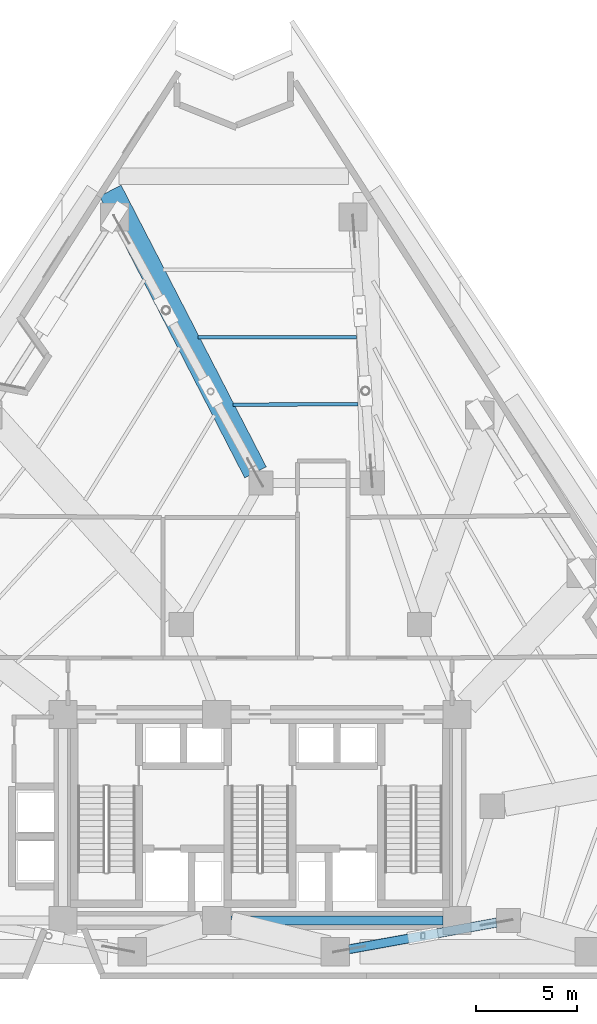
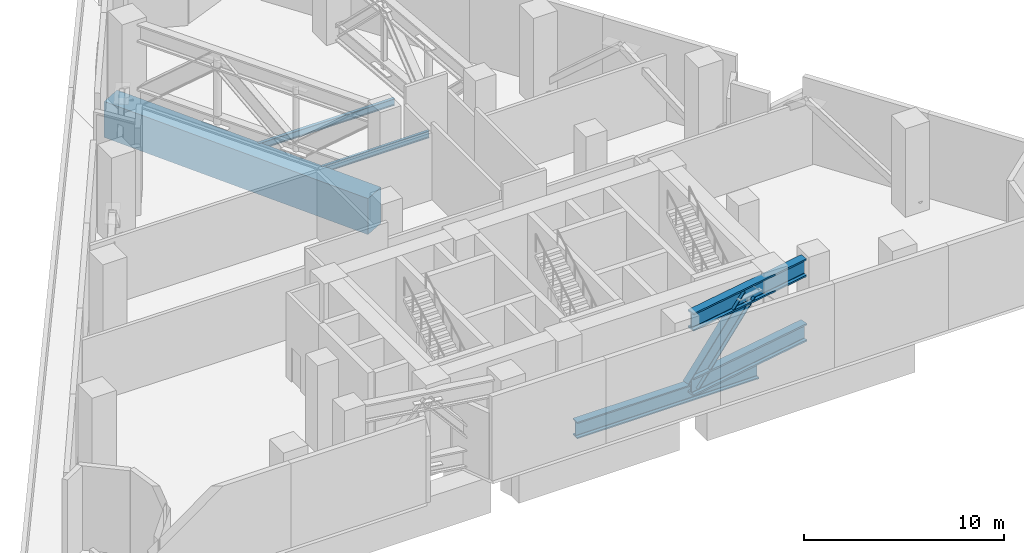
# One storey, part 3 of 12: 6 beams, 1 member.
"""IFC4 building model written with IfcOpenShell, lengths in metres."""

from ifc_helpers import new_model, si_unit, direction, frame, origin, origin_2d, place, context, subcontext, project, spatial, rectangle, i_section, extrude, material, material_profile, profile_set, type_object, element, save


model = new_model("IFC4")

# Units and contexts
model_context = context("Model", 3, precision=1e-05, world=origin(), true_north=direction((0.0, 1.0)))
body_context = subcontext(model_context, "Body", "Model", "MODEL_VIEW")
ifc_project = project(units=[si_unit("LENGTHUNIT", "METRE"), si_unit("AREAUNIT", "SQUARE_METRE"), si_unit("VOLUMEUNIT", "CUBIC_METRE"), si_unit("PLANEANGLEUNIT", "RADIAN"), si_unit("MASSUNIT", "GRAM", prefix="KILO")], contexts=[model_context])

# Site, building, storey
site_placement = place(None, origin())
site = spatial("IfcSite", under=ifc_project, at=site_placement, CompositionType="ELEMENT")
building_placement = place(site_placement, origin())
building = spatial("IfcBuilding", under=site, at=building_placement, Name="Almagre Mirador Tower", CompositionType="ELEMENT")
storey_placement = place(building_placement, frame((0.0, 0.0, 26.39990234375)))
storey = spatial("IfcBuildingStorey", under=building, at=storey_placement, Name="L05", CompositionType="ELEMENT", Elevation=26.39990234375)

# Beams
ifc_material_1 = material(Name="Steel ASTM A992 Grade 50", Category="steel")
ifc_material_profile_1 = material_profile(ifc_material_1, i_section(OverallWidth=0.178955078125, OverallDepth=0.408935546875, WebThickness=0.0087890625, FlangeThickness=0.014404296875, FilletRadius=0.013916015625, at=origin_2d()), Name="W16X45")
ifc_profile_set_1 = profile_set([ifc_material_profile_1], Name="Steel ASTM A992 Grade 50")
beam_type_1 = type_object("IfcBeamType", Name="BM-JST-W16X45", PredefinedType="JOIST", material=ifc_profile_set_1)
beam_1_placement = place(storey_placement, frame((42.0732421875, 33.418701171875, -0.50439453125), z_axis=(-0.999999593027, 0.000902189777, 0.0), x_axis=(-0.000902189777, -0.999999593027, 0.0)))
element("IfcBeam", 1, at=beam_1_placement, inside=storey, type_object=beam_type_1, Name="L05 secondary floor joist PC08-PC09.2", PredefinedType="JOIST", context=body_context, shape_type="SweptSolid", body=[
    extrude(i_section(OverallWidth=0.178955078125, OverallDepth=0.408935546875, WebThickness=0.0087890625, FlangeThickness=0.014404296875, FilletRadius=0.013916015625, at=origin_2d()), origin(), (0.0, 0.0, 1.0), 7.84765625),
])
beam_2_placement = place(storey_placement, frame((42.154296875, 30.106689453125, -0.50439453125), z_axis=(-0.999992101768, -0.003974468845, 0.0), x_axis=(0.003974468845, -0.999992101768, 0.0)))
element("IfcBeam", 2, at=beam_2_placement, inside=storey, type_object=beam_type_1, Name="L05 secondary floor joist PC08-PC09.3", PredefinedType="JOIST", context=body_context, shape_type="SweptSolid", body=[
    extrude(i_section(OverallWidth=0.178955078125, OverallDepth=0.408935546875, WebThickness=0.0087890625, FlangeThickness=0.014404296875, FilletRadius=0.013916015625, at=origin_2d()), origin(), (0.0, 0.0, 1.0), 6.2041015625),
])
ifc_material_2 = material(Name="Steel ASTM A992 Grade 50", Category="steel")
ifc_material_profile_2 = material_profile(ifc_material_2, i_section(OverallWidth=0.43701171875, OverallDepth=1.010986328125, WebThickness=0.041015625, FlangeThickness=0.073974609375, FilletRadius=0.028076171875, at=origin_2d()), Name="W36X529")
ifc_profile_set_2 = profile_set([ifc_material_profile_2], Name="Steel ASTM A992 Grade 50")
beam_type_2 = type_object("IfcBeamType", Name="BM-STL-W36X529", PredefinedType="BEAM", material=ifc_profile_set_2)
beam_3_placement = place(storey_placement, frame((35.85009765625, 4.550048828125, -0.805419921875), z_axis=(1.0, 0.0, 0.0), x_axis=(0.0, 1.0, 0.0)))
element("IfcBeam", 3, at=beam_3_placement, inside=storey, type_object=beam_type_2, Name="L05 core tie girder CC2-CC3", PredefinedType="BEAM", context=body_context, shape_type="SweptSolid", body=[
    extrude(i_section(OverallWidth=0.43701171875, OverallDepth=1.010986328125, WebThickness=0.041015625, FlangeThickness=0.073974609375, FilletRadius=0.028076171875, at=origin_2d()), origin(), (0.0, 0.0, 1.0), 10.5),
])
ifc_material_3 = material(Name="Steel ASTM A913 Grade 65", Category="steel")
ifc_material_profile_3 = material_profile(ifc_material_3, i_section(OverallWidth=0.45703125, OverallDepth=1.0869140625, WebThickness=0.060546875, FlangeThickness=0.093994140625, FilletRadius=0.028076171875, at=origin_2d()), Name="W36X800")
ifc_profile_set_3 = profile_set([ifc_material_profile_3], Name="Steel ASTM A913 Grade 65")
beam_type_3 = type_object("IfcBeamType", Name="BM-STL-W36X800", PredefinedType="BEAM", material=ifc_profile_set_3)
for number, where, z_axis, x_axis, name in (
    (4, (41.712890625, 3.12451171875, 0.650146484375), (0.98405481984, 0.177865431016, 0.0), (-0.177865431016, 0.98405481984, 0.0), "L05 outrigger truss 2 bottom chord"),
    (5, (41.712890625, 3.12451171875, 4.606689453125), (0.98405481984, 0.177865431016, 0.0), (-0.177865431016, 0.98405481984, 0.0), "L05 outrigger truss 2 top chord"),
):
    element("IfcBeam", number, at=place(storey_placement, frame(where, z_axis=z_axis, x_axis=x_axis)), inside=storey, type_object=beam_type_3, Name=name, PredefinedType="BEAM", context=body_context, shape_type="SweptSolid", body=[
        extrude(i_section(OverallWidth=0.45703125, OverallDepth=1.0869140625, WebThickness=0.060546875, FlangeThickness=0.093994140625, FilletRadius=0.028076171875, at=origin_2d()), origin(), (0.0, 0.0, 1.0), 7.414794921875),
    ])
ifc_material_4 = material(Name="Concrete C60/75", Category="concrete")
ifc_material_profile_4 = material_profile(ifc_material_4, rectangle(XDim=1.199951171875, YDim=2.199951171875, at=origin_2d()), Name="RC1200X2200")
ifc_profile_set_4 = profile_set([ifc_material_profile_4], Name="Concrete C60/75")
beam_type_4 = type_object("IfcBeamType", Name="BM-XFER-RC1200X2200", PredefinedType="BEAM", material=ifc_profile_set_4)
beam_4_placement = place(storey_placement, frame((29.888427734375, 40.677001953125, -1.39990234375), z_axis=(0.458142935094, -0.888878535585, 0.0), x_axis=(0.888878535585, 0.458142935094, 0.0)))
element("IfcBeam", 6, at=beam_4_placement, inside=storey, type_object=beam_type_4, Name="L05 radial transfer girder PC09-MC7", PredefinedType="BEAM", context=body_context, shape_type="SweptSolid", body=[
    extrude(rectangle(XDim=1.199951171875, YDim=2.199951171875, at=origin_2d()), origin(), (0.0, 0.0, 1.0), 15.686767578125),
])

# Member
ifc_material_5 = material(Name="Steel ASTM A913 Grade 65", Category="steel")
ifc_material_profile_5 = material_profile(ifc_material_5, i_section(OverallWidth=0.423095703125, OverallDepth=0.947998046875, WebThickness=0.02392578125, FlangeThickness=0.042724609375, FilletRadius=0.028076171875, at=origin_2d()), Name="W36X302")
ifc_profile_set_5 = profile_set([ifc_material_profile_5], Name="Steel ASTM A913 Grade 65")
member_type = type_object("IfcMemberType", Name="MBR-BRC-W36X302", PredefinedType="BRACE", material=ifc_profile_set_5)
member_placement = place(storey_placement, frame((41.712890625, 3.12451171875, 0.650146484375), z_axis=(0.67284665605, 0.121619408284, 0.729716449705), x_axis=(-0.177871194189, 0.984053778143, 0.0)))
element("IfcMember", 7, at=member_placement, inside=storey, type_object=member_type, Name="L05 outrigger truss 2 diagonal 1", PredefinedType="BRACE", context=body_context, shape_type="SweptSolid", body=[
    extrude(i_section(OverallWidth=0.423095703125, OverallDepth=0.947998046875, WebThickness=0.02392578125, FlangeThickness=0.042724609375, FilletRadius=0.028076171875, at=origin_2d()), origin(), (0.0, 0.0, 1.0), 5.422119140625),
])

save(model, "model.ifc")
